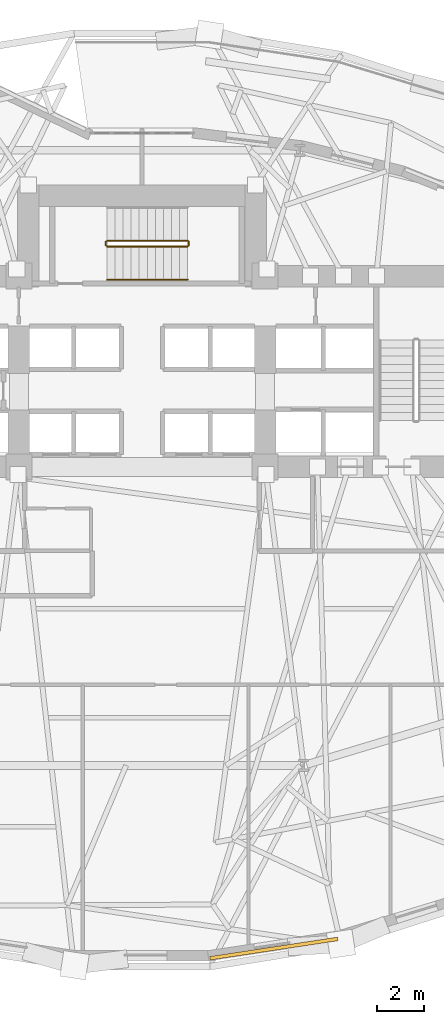
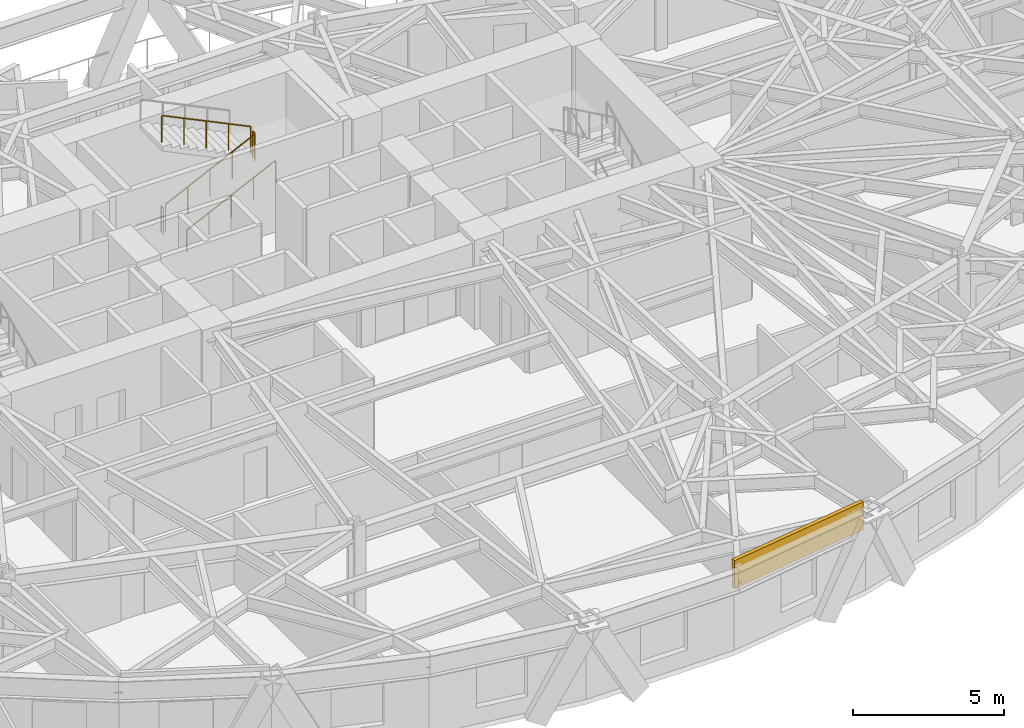
# One storey, part 13 of 15: 5 railings, 1 covering.
"""IFC4 building model written with IfcOpenShell, lengths in metres."""

from ifc_helpers import new_model, si_unit, direction, frame, origin, origin_2d, place, context, subcontext, project, spatial, rectangle, circle, extrude, material, layer, layer_set, type_object, element, save


model = new_model("IFC4")

# Units and contexts
model_context = context("Model", 3, precision=1e-05, world=origin(), true_north=direction((0.0, 1.0)))
body_context = subcontext(model_context, "Body", "Model", "MODEL_VIEW")
ifc_project = project(units=[si_unit("LENGTHUNIT", "METRE"), si_unit("AREAUNIT", "SQUARE_METRE"), si_unit("VOLUMEUNIT", "CUBIC_METRE"), si_unit("PLANEANGLEUNIT", "RADIAN"), si_unit("MASSUNIT", "GRAM", prefix="KILO")], contexts=[model_context])

# Site, building, storey
site_placement = place(None, origin())
site = spatial("IfcSite", under=ifc_project, at=site_placement, CompositionType="ELEMENT")
building_placement = place(site_placement, origin())
building = spatial("IfcBuilding", under=site, at=building_placement, Name="Keldmark Tower", CompositionType="ELEMENT")
storey_placement = place(building_placement, frame((0.0, 0.0, 55.800048828125)))
storey = spatial("IfcBuildingStorey", under=building, at=storey_placement, Name="L14", CompositionType="ELEMENT", Elevation=55.800048828125)

# Covering
ifc_material_1 = material(Name="Honed Kasota Buff Dolomitic Limestone", Category="masonry")
ifc_layer = layer(ifc_material_1, 0.074951171875)
ifc_layer_set = layer_set([ifc_layer], Name="Honed Kasota Buff Dolomitic Limestone")
covering_type = type_object("IfcCoveringType", Name="Kasota Buff Limestone Spandrel Cladding Band", PredefinedType="CLADDING", material=ifc_layer_set)
covering_placement = place(storey_placement, frame((5.56591796875, -18.938720703125, 2.452880859375), z_axis=(0.0, 0.0, 1.0), x_axis=(0.988711969496, 0.149828706781, 0.0)))
element("IfcCovering", 1, at=covering_placement, inside=storey, type_object=covering_type, Name="L14 Kasota Limestone Spandrel Band 25", PredefinedType="CLADDING", context=body_context, shape_type="SweptSolid", body=[
    extrude(rectangle(XDim=5.451416015625, YDim=0.14990234375, at=origin_2d()), origin(), (0.0, 0.0, 1.0), 1.126953125),
])

# Railings
ifc_material_2 = material(Name="Painted Steel ASTM A500 Grade B", Category="steel")
railing_type_1 = type_object("IfcRailingType", Name="Painted Steel Stair Well Guard 1100 mm", PredefinedType="GUARDRAIL", material=ifc_material_2)
railing_1_placement = place(storey_placement, frame((-1.47509765625, 10.699951171875, 0.16357421875)))
element("IfcRailing", 2, at=railing_1_placement, inside=storey, type_object=railing_type_1, Name="L14 ST3 stair guard 1", PredefinedType="GUARDRAIL", context=body_context, shape_type="SweptSolid", body=[
    extrude(circle(Radius=0.02392578125, at=origin_2d()), frame((0.0, 0.0, 1.076171875), z_axis=(0.901067223353, 0.0, 0.433679442675), x_axis=(0.0, 1.0, 0.0)), (0.0, 0.0, 1.0), 3.7734375),
    extrude(circle(Radius=0.02099609375, at=origin_2d()), origin(), (0.0, 0.0, 1.0), 1.052001953125),
    extrude(circle(Radius=0.02099609375, at=origin_2d()), frame((0.85009765625, 0.0, 0.4091796875)), (0.0, 0.0, 1.0), 1.052001953125),
    extrude(circle(Radius=0.02099609375, at=origin_2d()), frame((1.7001953125, 0.0, 0.818359375)), (0.0, 0.0, 1.0), 1.052001953125),
    extrude(circle(Radius=0.02099609375, at=origin_2d()), frame((2.550048828125, 0.0, 1.227294921875)), (0.0, 0.0, 1.0), 1.052001953125),
    extrude(circle(Radius=0.02099609375, at=origin_2d()), frame((3.400146484375, 0.0, 1.636474609375)), (0.0, 0.0, 1.0), 1.052001953125),
])
railing_2_placement = place(storey_placement, frame((1.97509765625, 10.75, 1.800048828125)))
element("IfcRailing", 3, at=railing_2_placement, inside=storey, type_object=railing_type_1, Name="L14 ST3 stair guard 2", PredefinedType="GUARDRAIL", context=body_context, shape_type="SweptSolid", body=[
    extrude(circle(Radius=0.02392578125, at=origin_2d()), frame((0.0, 0.0, 1.076171875), z_axis=(0.0, 1.0, 0.0), x_axis=(-1.0, 0.0, 0.0)), (0.0, 0.0, 1.0), 0.14990234375),
    extrude(circle(Radius=0.02099609375, at=origin_2d()), origin(), (0.0, 0.0, 1.0), 1.052001953125),
    extrude(circle(Radius=0.02099609375, at=origin_2d()), frame((0.0, 0.14990234375, 0.0)), (0.0, 0.0, 1.0), 1.052001953125),
])
railing_3_placement = place(storey_placement, frame((1.925048828125, 10.949951171875, 1.963623046875)))
element("IfcRailing", 4, at=railing_3_placement, inside=storey, type_object=railing_type_1, Name="L14 ST3 stair guard 3", PredefinedType="GUARDRAIL", context=body_context, shape_type="SweptSolid", body=[
    extrude(circle(Radius=0.02392578125, at=origin_2d()), frame((0.0, 0.0, 1.076171875), z_axis=(-0.901092505359, 0.0, 0.433626909666), x_axis=(0.0, -1.0, 0.0)), (0.0, 0.0, 1.0), 3.7734375),
    extrude(circle(Radius=0.02099609375, at=origin_2d()), origin(), (0.0, 0.0, 1.0), 1.052001953125),
    extrude(circle(Radius=0.02099609375, at=origin_2d()), frame((-0.85009765625, 0.0, 0.4091796875)), (0.0, 0.0, 1.0), 1.052001953125),
    extrude(circle(Radius=0.02099609375, at=origin_2d()), frame((-1.7001953125, 0.0, 0.818115234375)), (0.0, 0.0, 1.0), 1.052001953125),
    extrude(circle(Radius=0.02099609375, at=origin_2d()), frame((-2.550048828125, 0.0, 1.22705078125)), (0.0, 0.0, 1.0), 1.052001953125),
    extrude(circle(Radius=0.02099609375, at=origin_2d()), frame((-3.400146484375, 0.0, 1.63623046875)), (0.0, 0.0, 1.0), 1.052001953125),
])
railing_4_placement = place(storey_placement, frame((-1.52490234375, 10.75, 0.0)))
element("IfcRailing", 5, at=railing_4_placement, inside=storey, type_object=railing_type_1, Name="L14 ST3 stair guard 4", PredefinedType="GUARDRAIL", context=body_context, shape_type="SweptSolid", body=[
    extrude(circle(Radius=0.02392578125, at=origin_2d()), frame((0.0, 0.0, 1.076171875), z_axis=(0.0, 1.0, 0.0), x_axis=(-1.0, 0.0, 0.0)), (0.0, 0.0, 1.0), 0.14990234375),
    extrude(circle(Radius=0.02099609375, at=origin_2d()), origin(), (0.0, 0.0, 1.0), 1.052001953125),
    extrude(circle(Radius=0.02099609375, at=origin_2d()), frame((0.0, 0.14990234375, 0.0)), (0.0, 0.0, 1.0), 1.052001953125),
])
ifc_material_3 = material(Name="Stainless Steel AISI 316L", Category="steel")
railing_type_2 = type_object("IfcRailingType", Name="Stainless Steel Stair Handrail 900 mm", PredefinedType="HANDRAIL", material=ifc_material_3)
railing_5_placement = place(storey_placement, frame((-1.47509765625, 9.300048828125, 0.16357421875)))
element("IfcRailing", 6, at=railing_5_placement, inside=storey, type_object=railing_type_2, Name="L14 ST3 stair handrail 1", PredefinedType="HANDRAIL", context=body_context, shape_type="SweptSolid", body=[
    extrude(circle(Radius=0.02392578125, at=origin_2d()), frame((0.0, 0.0, 0.8759765625), z_axis=(0.901067223353, 0.0, 0.433679442675), x_axis=(0.0, 1.0, 0.0)), (0.0, 0.0, 1.0), 3.7734375),
    extrude(circle(Radius=0.02099609375, at=origin_2d()), origin(), (0.0, 0.0, 1.0), 0.851806640625),
    extrude(circle(Radius=0.02099609375, at=origin_2d()), frame((0.85009765625, 0.0, 0.4091796875)), (0.0, 0.0, 1.0), 0.851806640625),
    extrude(circle(Radius=0.02099609375, at=origin_2d()), frame((1.7001953125, 0.0, 0.818359375)), (0.0, 0.0, 1.0), 0.851806640625),
    extrude(circle(Radius=0.02099609375, at=origin_2d()), frame((2.550048828125, 0.0, 1.227294921875)), (0.0, 0.0, 1.0), 0.851806640625),
    extrude(circle(Radius=0.02099609375, at=origin_2d()), frame((3.400146484375, 0.0, 1.636474609375)), (0.0, 0.0, 1.0), 0.851806640625),
])

save(model, "model.ifc")
